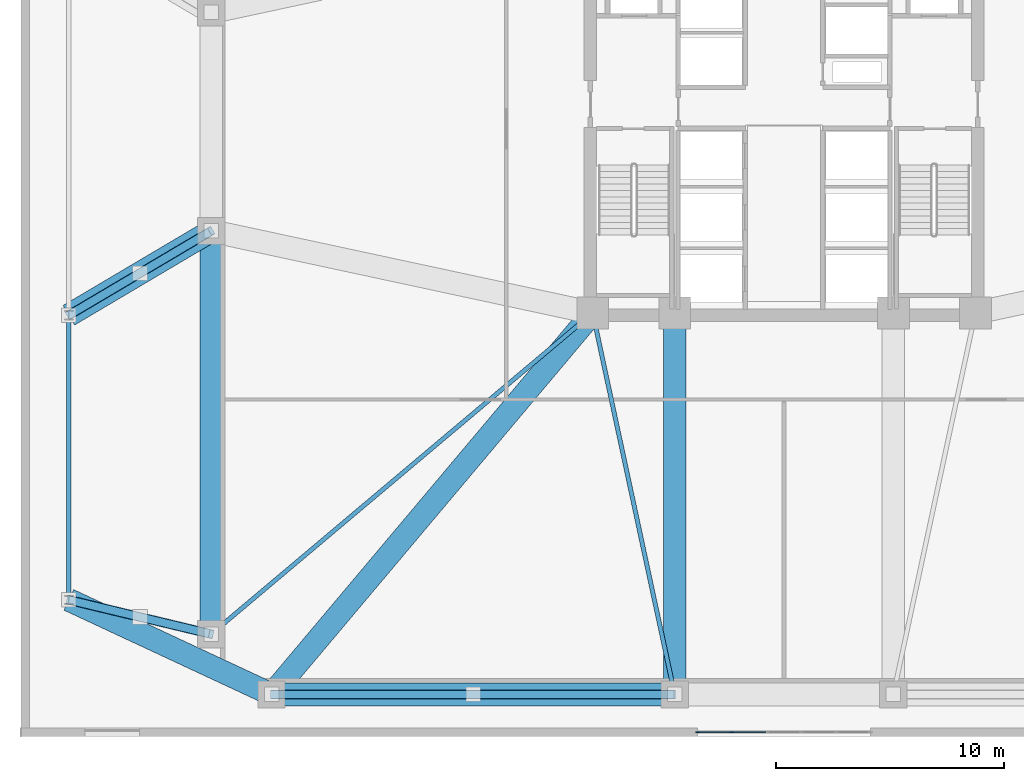
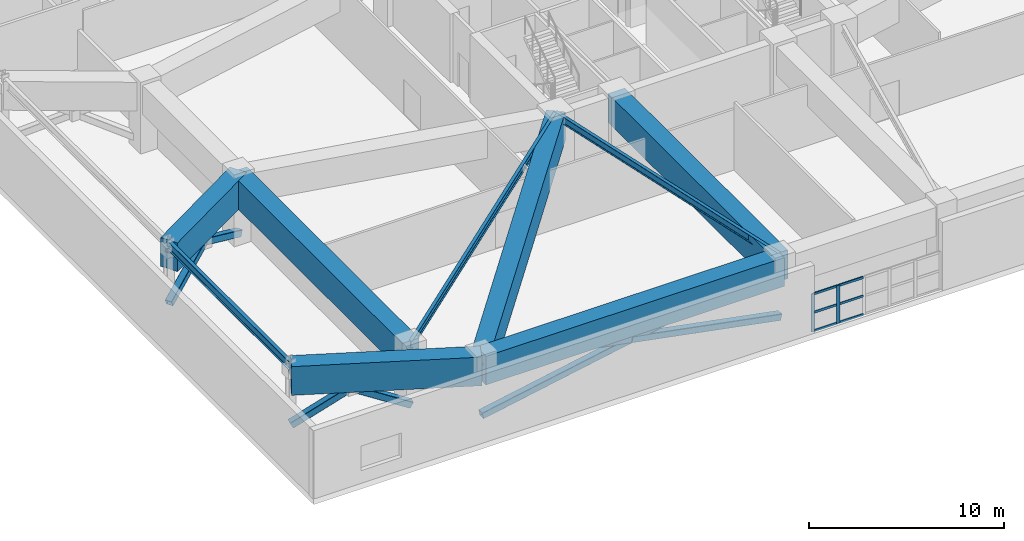
# One storey, part 3 of 19: 17 members, 9 beams, 1 element without a shape of its own.
"""IFC4 building model written with IfcOpenShell, lengths in metres."""

from ifc_helpers import new_model, si_unit, direction, frame, origin, origin_2d, place, context, subcontext, project, spatial, rectangle, hollow_rectangle, i_section, extrude, material, layer, layer_set, material_profile, profile_set, type_object, element, aggregate, save


model = new_model("IFC4")

# Units and contexts
model_context = context("Model", 3, precision=1e-05, world=origin(), true_north=direction((0.0, 1.0)))
body_context = subcontext(model_context, "Body", "Model", "MODEL_VIEW")
ifc_project = project(units=[si_unit("LENGTHUNIT", "METRE"), si_unit("AREAUNIT", "SQUARE_METRE"), si_unit("VOLUMEUNIT", "CUBIC_METRE"), si_unit("PLANEANGLEUNIT", "RADIAN"), si_unit("MASSUNIT", "GRAM", prefix="KILO")], contexts=[model_context])

# Site, building, storey
site_placement = place(None, origin())
site = spatial("IfcSite", under=ifc_project, at=site_placement, CompositionType="ELEMENT")
building_placement = place(site_placement, origin())
building = spatial("IfcBuilding", under=site, at=building_placement, Name="Cairnveth Concourse Tower", CompositionType="ELEMENT")
storey_placement = place(building_placement, frame((0.0, 0.0, 19.0)))
storey = spatial("IfcBuildingStorey", under=building, at=storey_placement, Name="L04", CompositionType="ELEMENT", Elevation=19.0)

# Curtain wall, members
ifc_material_1 = material(Name="Architectural Bronze Anodised Aluminium 6063-T6", Category="aluminium")
ifc_layer = layer(ifc_material_1, 0.340087890625)
ifc_layer_set = layer_set([ifc_layer], Name="Architectural Bronze Anodised Aluminium 6063-T6")
curtain_wall_type = type_object("IfcCurtainWallType", Name="BALLROOM FOYER UNITISED CURTAIN WALL", PredefinedType="USERDEFINED", material=ifc_layer_set)
curtain_wall_placement = place(storey_placement, origin())
curtain_wall = element("IfcCurtainWall", 1, at=curtain_wall_placement, inside=storey, type_object=curtain_wall_type, Name="Curtain Wall CW-L04-S1", ObjectType="UNITISED FACADE", PredefinedType="USERDEFINED")
ifc_material_profile_1 = material_profile(ifc_material_1, rectangle(XDim=0.06494140625, YDim=0.179931640625, at=origin_2d()), Name="AL-MUL-65x180")
ifc_profile_set_1 = profile_set([ifc_material_profile_1], Name="Architectural Bronze Anodised Aluminium 6063-T6")
member_type_1 = type_object("IfcMemberType", Name="BRONZE CURTAIN WALL MULLION AL-MUL-65x180", PredefinedType="MULLION", material=ifc_profile_set_1)
member_1_placement = place(storey_placement, frame((49.7109375, 12.18994140625, 0.0), z_axis=(0.0, 0.0, 1.0), x_axis=(0.0, -1.0, 0.0)))
member_1 = element("IfcMember", 2, at=member_1_placement, type_object=member_type_1, Name="CWS3 mullion 5", PredefinedType="MULLION", context=body_context, shape_type="SweptSolid", body=[
    extrude(rectangle(XDim=0.06494140625, YDim=0.179931640625, at=origin_2d()), origin(), (0.0, 0.0, 1.0), 2.3798828125),
])
member_2_placement = place(storey_placement, frame((48.217529296875, 12.18994140625, 0.0), z_axis=(0.0, 0.0, 1.0), x_axis=(0.0, -1.0, 0.0)))
member_2 = element("IfcMember", 3, at=member_2_placement, type_object=member_type_1, Name="CWS3 mullion 6", PredefinedType="MULLION", context=body_context, shape_type="SweptSolid", body=[
    extrude(rectangle(XDim=0.06494140625, YDim=0.179931640625, at=origin_2d()), origin(), (0.0, 0.0, 1.0), 2.3798828125),
])
ifc_material_profile_2 = material_profile(ifc_material_1, rectangle(XDim=0.06494140625, YDim=0.139892578125, at=origin_2d()), Name="AL-TRN-65x140")
ifc_profile_set_2 = profile_set([ifc_material_profile_2], Name="Architectural Bronze Anodised Aluminium 6063-T6")
member_type_2 = type_object("IfcMemberType", Name="BRONZE CURTAIN WALL TRANSOM AL-TRN-65x140", PredefinedType="USERDEFINED", material=ifc_profile_set_2)
member_3_placement = place(storey_placement, frame((51.20458984375, 12.18994140625, 0.032470703125), z_axis=(-1.0, 0.0, 0.0), x_axis=(0.0, -1.0, 0.0)))
member_3 = element("IfcMember", 4, at=member_3_placement, type_object=member_type_2, Name="CWS3 transom 4.1", ObjectType="TRANSOM", PredefinedType="USERDEFINED", context=body_context, shape_type="SweptSolid", body=[
    extrude(rectangle(XDim=0.06494140625, YDim=0.139892578125, at=origin_2d()), origin(), (0.0, 0.0, 1.0), 1.461181640625),
])
member_4_placement = place(storey_placement, frame((51.20458984375, 12.18994140625, 1.18994140625), z_axis=(-1.0, 0.0, 0.0), x_axis=(0.0, -1.0, 0.0)))
member_4 = element("IfcMember", 5, at=member_4_placement, type_object=member_type_2, Name="CWS3 transom 4.2", ObjectType="TRANSOM", PredefinedType="USERDEFINED", context=body_context, shape_type="SweptSolid", body=[
    extrude(rectangle(XDim=0.06494140625, YDim=0.139892578125, at=origin_2d()), origin(), (0.0, 0.0, 1.0), 1.461181640625),
])
member_5_placement = place(storey_placement, frame((51.20458984375, 12.18994140625, 2.347412109375), z_axis=(-1.0, 0.0, 0.0), x_axis=(0.0, -1.0, 0.0)))
member_5 = element("IfcMember", 6, at=member_5_placement, type_object=member_type_2, Name="CWS3 transom 4.3", ObjectType="TRANSOM", PredefinedType="USERDEFINED", context=body_context, shape_type="SweptSolid", body=[
    extrude(rectangle(XDim=0.06494140625, YDim=0.139892578125, at=origin_2d()), origin(), (0.0, 0.0, 1.0), 1.461181640625),
])
member_6_placement = place(storey_placement, frame((49.678466796875, 12.18994140625, 0.032470703125), z_axis=(-1.0, 0.0, 0.0), x_axis=(0.0, -1.0, 0.0)))
member_6 = element("IfcMember", 7, at=member_6_placement, type_object=member_type_2, Name="CWS3 transom 5.1", ObjectType="TRANSOM", PredefinedType="USERDEFINED", context=body_context, shape_type="SweptSolid", body=[
    extrude(rectangle(XDim=0.06494140625, YDim=0.139892578125, at=origin_2d()), origin(), (0.0, 0.0, 1.0), 1.428466796875),
])
member_7_placement = place(storey_placement, frame((49.678466796875, 12.18994140625, 1.18994140625), z_axis=(-1.0, 0.0, 0.0), x_axis=(0.0, -1.0, 0.0)))
member_7 = element("IfcMember", 8, at=member_7_placement, type_object=member_type_2, Name="CWS3 transom 5.2", ObjectType="TRANSOM", PredefinedType="USERDEFINED", context=body_context, shape_type="SweptSolid", body=[
    extrude(rectangle(XDim=0.06494140625, YDim=0.139892578125, at=origin_2d()), origin(), (0.0, 0.0, 1.0), 1.428466796875),
])
member_8_placement = place(storey_placement, frame((49.678466796875, 12.18994140625, 2.347412109375), z_axis=(-1.0, 0.0, 0.0), x_axis=(0.0, -1.0, 0.0)))
member_8 = element("IfcMember", 9, at=member_8_placement, type_object=member_type_2, Name="CWS3 transom 5.3", ObjectType="TRANSOM", PredefinedType="USERDEFINED", context=body_context, shape_type="SweptSolid", body=[
    extrude(rectangle(XDim=0.06494140625, YDim=0.139892578125, at=origin_2d()), origin(), (0.0, 0.0, 1.0), 1.428466796875),
])
aggregate(curtain_wall, [member_1, member_2, member_3, member_4, member_5, member_6, member_7, member_8])

# Beams
ifc_material_2 = material(Name="Concrete N65 (65 MPa)", Category="concrete")
ifc_material_profile_3 = material_profile(ifc_material_2, rectangle(XDim=1.0, YDim=1.800048828125, at=origin_2d()), Name="RC-TB-1000x1800")
ifc_profile_set_3 = profile_set([ifc_material_profile_3], Name="Concrete N65 (65 MPa)")
beam_type_1 = type_object("IfcBeamType", Name="CONCRETE TRANSFER GIRDER 1000X1800", PredefinedType="BEAM", material=ifc_profile_set_3)
beam_1_placement = place(storey_placement, frame((20.60009765625, 18.0, 3.3798828125), z_axis=(0.906315208572, -0.422602345842, 0.0), x_axis=(0.422602345842, 0.906315208572, 0.0)))
element("IfcBeam", 10, at=beam_1_placement, inside=storey, type_object=beam_type_1, Name="Beam PG-W-S L04", PredefinedType="BEAM", context=body_context, shape_type="SweptSolid", body=[
    extrude(rectangle(XDim=1.0, YDim=1.800048828125, at=origin_2d()), origin(), (0.0, 0.0, 1.0), 9.81982421875),
])
beam_2_placement = place(storey_placement, frame((20.60009765625, 30.5, 3.3798828125), z_axis=(0.860518044459, 0.509419959523, 0.0), x_axis=(-0.509419959523, 0.860518044459, 0.0)))
element("IfcBeam", 11, at=beam_2_placement, inside=storey, type_object=beam_type_1, Name="Beam PG-W1 L04", PredefinedType="BEAM", context=body_context, shape_type="SweptSolid", body=[
    extrude(rectangle(XDim=1.0, YDim=1.800048828125, at=origin_2d()), origin(), (0.0, 0.0, 1.0), 7.26318359375),
])
beam_3_placement = place(storey_placement, frame((47.199951171875, 13.85009765625, 3.3798828125), z_axis=(0.0, 1.0, 0.0), x_axis=(-1.0, 0.0, 0.0)))
element("IfcBeam", 12, at=beam_3_placement, inside=storey, type_object=beam_type_1, Name="Beam PG-S1 L04", PredefinedType="BEAM", context=body_context, shape_type="SweptSolid", body=[
    extrude(rectangle(XDim=1.0, YDim=1.800048828125, at=origin_2d()), origin(), (0.0, 0.0, 1.0), 16.75),
])
beam_4_placement = place(storey_placement, frame((29.5, 13.85009765625, 3.3798828125), z_axis=(0.643997697905, 0.765027427674, 0.0), x_axis=(-0.765027427674, 0.643997697905, 0.0)))
element("IfcBeam", 13, at=beam_4_placement, inside=storey, type_object=beam_type_1, Name="Beam PG-CSW L04", PredefinedType="BEAM", context=body_context, shape_type="SweptSolid", body=[
    extrude(rectangle(XDim=1.0, YDim=1.800048828125, at=origin_2d()), origin(), (0.0, 0.0, 1.0), 21.89453125),
])
for number, where, z_axis, x_axis, name in (
    (14, (29.5, 13.85009765625, 3.3798828125), (1.0, 0.0, 0.0), (0.0, 1.0, 0.0), "Beam PR-S1 L04"),
    (15, (26.85009765625, 16.5, 3.3798828125), (0.0, 1.0, 0.0), (-1.0, 0.0, 0.0), "Beam PR-W1 L04"),
):
    element("IfcBeam", number, at=place(storey_placement, frame(where, z_axis=z_axis, x_axis=x_axis)), inside=storey, type_object=beam_type_1, Name=name, PredefinedType="BEAM", context=body_context, shape_type="SweptSolid", body=[
        extrude(rectangle(XDim=1.0, YDim=1.800048828125, at=origin_2d()), origin(), (0.0, 0.0, 1.0), 17.699951171875),
    ])
ifc_material_3 = material(Name="Steel Grade 350", Category="steel")
ifc_material_profile_4 = material_profile(ifc_material_3, i_section(OverallWidth=0.208984375, OverallDepth=0.532958984375, WebThickness=0.01025390625, FlangeThickness=0.015625, FilletRadius=0.013916015625, at=origin_2d()), Name="530UB92.4")
ifc_profile_set_4 = profile_set([ifc_material_profile_4], Name="Steel Grade 350")
beam_type_2 = type_object("IfcBeamType", Name="PODIUM EDGE SPANDREL 530UB92.4", PredefinedType="SPANDREL", material=ifc_profile_set_4)
beam_5_placement = place(storey_placement, frame((20.60009765625, 18.0, 4.013427734375), z_axis=(0.0, 1.0, 0.0), x_axis=(-1.0, 0.0, 0.0)))
element("IfcBeam", 16, at=beam_5_placement, inside=storey, type_object=beam_type_2, Name="Beam PSP-W1 L04", PredefinedType="SPANDREL", context=body_context, shape_type="SweptSolid", body=[
    extrude(i_section(OverallWidth=0.208984375, OverallDepth=0.532958984375, WebThickness=0.01025390625, FlangeThickness=0.015625, FilletRadius=0.013916015625, at=origin_2d()), origin(), (0.0, 0.0, 1.0), 12.5),
])
ifc_material_profile_5 = material_profile(ifc_material_3, i_section(OverallWidth=0.18994140625, OverallDepth=0.45703125, WebThickness=0.009033203125, FlangeThickness=0.014404296875, FilletRadius=0.010986328125, at=origin_2d()), Name="460UB74.6")
ifc_profile_set_5 = profile_set([ifc_material_profile_5], Name="Steel Grade 350")
beam_type_3 = type_object("IfcBeamType", Name="PODIUM FLOOR JOIST 460UB74.6", PredefinedType="JOIST", material=ifc_profile_set_5)
beam_6_placement = place(storey_placement, frame((26.85009765625, 16.5, 4.051513671875), z_axis=(0.765027427674, 0.643997697905, 0.0), x_axis=(-0.643997697905, 0.765027427674, 0.0)))
element("IfcBeam", 17, at=beam_6_placement, inside=storey, type_object=beam_type_3, Name="Beam PJ-SW1 L04", PredefinedType="JOIST", context=body_context, shape_type="SweptSolid", body=[
    extrude(i_section(OverallWidth=0.18994140625, OverallDepth=0.45703125, WebThickness=0.009033203125, FlangeThickness=0.014404296875, FilletRadius=0.010986328125, at=origin_2d()), origin(), (0.0, 0.0, 1.0), 21.89453125),
])
beam_7_placement = place(storey_placement, frame((43.60009765625, 30.60009765625, 4.051513671875), z_axis=(0.210118799239, -0.977675861524, 0.0), x_axis=(0.977675861524, 0.210118799239, 0.0)))
element("IfcBeam", 18, at=beam_7_placement, inside=storey, type_object=beam_type_3, Name="Beam PJ-S-X L04", PredefinedType="JOIST", context=body_context, shape_type="SweptSolid", body=[
    extrude(i_section(OverallWidth=0.18994140625, OverallDepth=0.45703125, WebThickness=0.009033203125, FlangeThickness=0.014404296875, FilletRadius=0.010986328125, at=origin_2d()), origin(), (0.0, 0.0, 1.0), 17.132568359375),
])

# Members
ifc_material_4 = material(Name="Steel C350L0 (350 MPa)", Category="steel")
ifc_material_profile_6 = material_profile(ifc_material_4, hollow_rectangle(XDim=0.39990234375, YDim=0.39990234375, WallThickness=0.01611328125, InnerFilletRadius=0.01611328125, OuterFilletRadius=0.031982421875, at=origin_2d()), Name="400x400x16.0SHS")
ifc_profile_set_6 = profile_set([ifc_material_profile_6], Name="Steel C350L0 (350 MPa)")
member_type_3 = type_object("IfcMemberType", Name="PODIUM TRANSFER BRACE 400X400X16SHS", PredefinedType="BRACE", material=ifc_profile_set_6)
member_9_placement = place(storey_placement, frame((20.60009765625, 18.0, 0.35009765625), z_axis=(0.860648825687, -0.206555718165, 0.465422747766), x_axis=(0.233372952475, 0.972387301981, 0.0)))
element("IfcMember", 19, at=member_9_placement, inside=storey, type_object=member_type_3, Name="Structural Brace PTR-TW1A L04", PredefinedType="BRACE", context=body_context, shape_type="SweptSolid", body=[
    extrude(hollow_rectangle(XDim=0.39990234375, YDim=0.39990234375, WallThickness=0.01611328125, InnerFilletRadius=0.01611328125, OuterFilletRadius=0.031982421875, at=origin_2d()), origin(), (0.0, 0.0, 1.0), 7.261962890625),
])
member_10_placement = place(storey_placement, frame((26.85009765625, 16.5, 0.35009765625), z_axis=(-0.86067884724, 0.206527815634, 0.465379612019), x_axis=(-0.233335447822, -0.972396302332, 0.0)))
element("IfcMember", 20, at=member_10_placement, inside=storey, type_object=member_type_3, Name="Structural Brace PTR-TW1B1 L04", PredefinedType="BRACE", context=body_context, shape_type="SweptSolid", body=[
    extrude(hollow_rectangle(XDim=0.39990234375, YDim=0.39990234375, WallThickness=0.01611328125, InnerFilletRadius=0.01611328125, OuterFilletRadius=0.031982421875, at=origin_2d()), origin(), (0.0, 0.0, 1.0), 3.6162109375),
])
member_11_placement = place(storey_placement, frame((23.712158203125, 17.253173828125, 2.047119140625), z_axis=(-0.860661343719, 0.206539817246, 0.465406655861), x_axis=(-0.233352756207, -0.972392148863, 0.0)))
element("IfcMember", 21, at=member_11_placement, inside=storey, type_object=member_type_3, Name="Structural Brace PTR-TW1B2 L04", PredefinedType="BRACE", context=body_context, shape_type="SweptSolid", body=[
    extrude(hollow_rectangle(XDim=0.39990234375, YDim=0.39990234375, WallThickness=0.01611328125, InnerFilletRadius=0.01611328125, OuterFilletRadius=0.031982421875, at=origin_2d()), origin(), (0.0, 0.0, 1.0), 3.615966796875),
])
member_12_placement = place(storey_placement, frame((20.60009765625, 30.5, 0.35009765625), z_axis=(0.780179532643, 0.461860188172, 0.421906462887), x_axis=(-0.509419959523, 0.860518044459, 0.0)))
element("IfcMember", 22, at=member_12_placement, inside=storey, type_object=member_type_3, Name="Structural Brace PTR-TW2A L04", PredefinedType="BRACE", context=body_context, shape_type="SweptSolid", body=[
    extrude(hollow_rectangle(XDim=0.39990234375, YDim=0.39990234375, WallThickness=0.01611328125, InnerFilletRadius=0.01611328125, OuterFilletRadius=0.031982421875, at=origin_2d()), origin(), (0.0, 0.0, 1.0), 8.010986328125),
])
for number, where, z_axis, x_axis, name in (
    (23, (26.85009765625, 34.199951171875, 0.35009765625), (-0.780182248625, -0.461856633851, 0.42190533144), (0.50941574336, -0.86052054038, 0.0), "Structural Brace PTR-TW2B1 L04"),
    (24, (23.71337890625, 32.343017578125, 2.04638671875), (-0.780182248625, -0.461856633851, 0.42190533144), (0.50941574336, -0.86052054038, 0.0), "Structural Brace PTR-TW2B2 L04"),
):
    element("IfcMember", number, at=place(storey_placement, frame(where, z_axis=z_axis, x_axis=x_axis)), inside=storey, type_object=member_type_3, Name=name, PredefinedType="BRACE", context=body_context, shape_type="SweptSolid", body=[
        extrude(hollow_rectangle(XDim=0.39990234375, YDim=0.39990234375, WallThickness=0.01611328125, InnerFilletRadius=0.01611328125, OuterFilletRadius=0.031982421875, at=origin_2d()), origin(), (0.0, 0.0, 1.0), 3.990478515625),
    ])
member_13_placement = place(storey_placement, frame((29.5, 13.85009765625, 0.35009765625), z_axis=(0.982252130991, 0.0, 0.187565325059), x_axis=(0.0, 1.0, 0.0)))
element("IfcMember", 25, at=member_13_placement, inside=storey, type_object=member_type_3, Name="Structural Brace PTR-TS1A L04", PredefinedType="BRACE", context=body_context, shape_type="SweptSolid", body=[
    extrude(hollow_rectangle(XDim=0.39990234375, YDim=0.39990234375, WallThickness=0.01611328125, InnerFilletRadius=0.01611328125, OuterFilletRadius=0.031982421875, at=origin_2d()), origin(), (0.0, 0.0, 1.0), 18.019775390625),
])
for number, where, z_axis, x_axis, name in (
    (26, (47.199951171875, 13.85009765625, 0.35009765625), (-0.9822543675, 0.0, 0.187553612408), (0.0, -1.0, 0.0), "Structural Brace PTR-TS1B1 L04"),
    (27, (38.335205078125, 13.85009765625, 2.042724609375), (-0.982249366868, 0.0, 0.187579799785), (0.0, -1.0, 0.0), "Structural Brace PTR-TS1B2 L04"),
):
    element("IfcMember", number, at=place(storey_placement, frame(where, z_axis=z_axis, x_axis=x_axis)), inside=storey, type_object=member_type_3, Name=name, PredefinedType="BRACE", context=body_context, shape_type="SweptSolid", body=[
        extrude(hollow_rectangle(XDim=0.39990234375, YDim=0.39990234375, WallThickness=0.01611328125, InnerFilletRadius=0.01611328125, OuterFilletRadius=0.031982421875, at=origin_2d()), origin(), (0.0, 0.0, 1.0), 8.994873046875),
    ])

save(model, "model.ifc")
